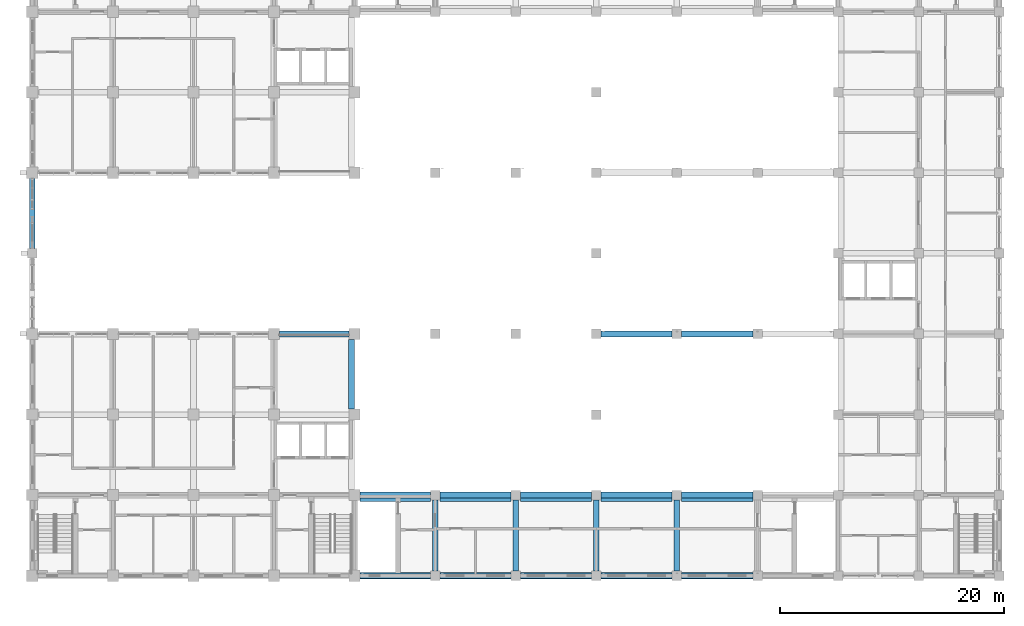
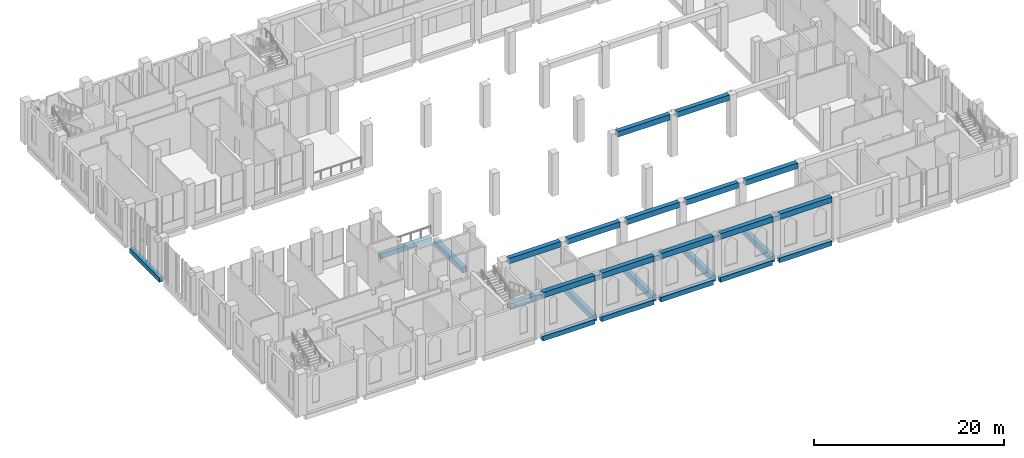
# One storey, part 6 of 48: 29 beams.
"""IFC4 building model written with IfcOpenShell, lengths in metres."""

from ifc_helpers import new_model, si_unit, direction, frame, origin, origin_2d, place, context, subcontext, project, spatial, rectangle, extrude, material, material_profile, profile_set, type_object, element, save


model = new_model("IFC4")

# Units and contexts
model_context = context("Model", 3, precision=1e-05, world=origin(), true_north=direction((0.0, 1.0)))
body_context = subcontext(model_context, "Body", "Model", "MODEL_VIEW")
ifc_project = project(units=[si_unit("LENGTHUNIT", "METRE"), si_unit("AREAUNIT", "SQUARE_METRE"), si_unit("VOLUMEUNIT", "CUBIC_METRE"), si_unit("PLANEANGLEUNIT", "RADIAN"), si_unit("MASSUNIT", "GRAM", prefix="KILO")], contexts=[model_context])

# Site, building, storey
site_placement = place(None, origin())
site = spatial("IfcSite", under=ifc_project, at=site_placement, CompositionType="ELEMENT")
building_placement = place(site_placement, origin())
building = spatial("IfcBuilding", under=site, at=building_placement, Name="Silangan Lancet Faculty of Sciences", CompositionType="ELEMENT")
storey_placement = place(building_placement, frame((0.0, 0.0, 6.0)))
storey = spatial("IfcBuildingStorey", under=building, at=storey_placement, Name="L01", CompositionType="ELEMENT", Elevation=6.0)

# Beams
ifc_material_1 = material(Name="Concrete C40/50", Category="concrete")
ifc_material_profile_1 = material_profile(ifc_material_1, rectangle(XDim=0.5, YDim=0.60009765625, at=origin_2d()), Name="RC 500x600")
ifc_profile_set_1 = profile_set([ifc_material_profile_1], Name="Concrete C40/50")
beam_type_1 = type_object("IfcBeamType", Name="BEAM RC 500x600", PredefinedType="BEAM", material=ifc_profile_set_1)
beam_1_placement = place(storey_placement, frame((29.300048828125, 0.0, -0.550048828125), z_axis=(1.0, 0.0, 0.0), x_axis=(0.0, 1.0, 0.0)))
element("IfcBeam", 1, at=beam_1_placement, inside=storey, type_object=beam_type_1, Name="BM-L01-5A-6A", PredefinedType="BEAM", context=body_context, shape_type="SweptSolid", body=[
    extrude(rectangle(XDim=0.5, YDim=0.60009765625, at=origin_2d()), origin(), (0.0, 0.0, 1.0), 6.27490234375),
])
beam_2_placement = place(storey_placement, frame((36.425048828125, 0.0, -0.550048828125), z_axis=(1.0, 0.0, 0.0), x_axis=(0.0, 1.0, 0.0)))
element("IfcBeam", 2, at=beam_2_placement, inside=storey, type_object=beam_type_1, Name="BM-L01-6A-7A", PredefinedType="BEAM", context=body_context, shape_type="SweptSolid", body=[
    extrude(rectangle(XDim=0.5, YDim=0.60009765625, at=origin_2d()), origin(), (0.0, 0.0, 1.0), 6.349853515625),
])
for number, where, z_axis, x_axis, name in (
    (3, (43.625, 0.0, -0.550048828125), (1.0, 0.0, 0.0), (0.0, 1.0, 0.0), "BM-L01-7A-8A"),
    (4, (50.824951171875, 0.0, -0.550048828125), (1.0, 0.0, 0.0), (0.0, 1.0, 0.0), "BM-L01-8A-9A"),
    (5, (58.02490234375, 0.0, -0.550048828125), (1.0, 0.0, 0.0), (0.0, 1.0, 0.0), "BM-L01-9A-10A"),
):
    element("IfcBeam", number, at=place(storey_placement, frame(where, z_axis=z_axis, x_axis=x_axis)), inside=storey, type_object=beam_type_1, Name=name, PredefinedType="BEAM", context=body_context, shape_type="SweptSolid", body=[
        extrude(rectangle(XDim=0.5, YDim=0.60009765625, at=origin_2d()), origin(), (0.0, 0.0, 1.0), 6.35009765625),
    ])
beam_3_placement = place(storey_placement, frame((22.10009765625, 21.60009765625, -0.550048828125), z_axis=(1.0, 0.0, 0.0), x_axis=(0.0, 1.0, 0.0)))
element("IfcBeam", 6, at=beam_3_placement, inside=storey, type_object=beam_type_1, Name="BM-L01-4D-5D", PredefinedType="BEAM", context=body_context, shape_type="SweptSolid", body=[
    extrude(rectangle(XDim=0.5, YDim=0.60009765625, at=origin_2d()), origin(), (0.0, 0.0, 1.0), 6.199951171875),
])
beam_4_placement = place(storey_placement, frame((0.0, 29.25, -0.550048828125), z_axis=(0.0, 1.0, 0.0), x_axis=(-1.0, 0.0, 0.0)))
element("IfcBeam", 7, at=beam_4_placement, inside=storey, type_object=beam_type_1, Name="BM-L01-1E-1F", PredefinedType="BEAM", context=body_context, shape_type="SweptSolid", body=[
    extrude(rectangle(XDim=0.5, YDim=0.60009765625, at=origin_2d()), origin(), (0.0, 0.0, 1.0), 6.300048828125),
])
ifc_material_2 = material(Name="Concrete C40/50", Category="concrete")
ifc_material_profile_2 = material_profile(ifc_material_2, rectangle(XDim=0.5, YDim=0.75, at=origin_2d()), Name="RC 500x750")
ifc_profile_set_2 = profile_set([ifc_material_profile_2], Name="Concrete C40/50")
beam_type_2 = type_object("IfcBeamType", Name="BEAM RC 500x750", PredefinedType="BEAM", material=ifc_profile_set_2)
for number, where, z_axis, x_axis, name in (
    (8, (36.0, 0.425048828125, -0.625), (0.0, 1.0, 0.0), (-1.0, 0.0, 0.0), "BM-L01-6A-6B"),
    (9, (43.199951171875, 0.425048828125, -0.625), (0.0, 1.0, 0.0), (-1.0, 0.0, 0.0), "BM-L01-7A-7B"),
    (10, (50.39990234375, 0.425048828125, -0.625), (0.0, 1.0, 0.0), (-1.0, 0.0, 0.0), "BM-L01-8A-8B"),
    (11, (57.60009765625, 0.425048828125, -0.625), (0.0, 1.0, 0.0), (-1.0, 0.0, 0.0), "BM-L01-9A-9B"),
):
    element("IfcBeam", number, at=place(storey_placement, frame(where, z_axis=z_axis, x_axis=x_axis)), inside=storey, type_object=beam_type_2, Name=name, PredefinedType="BEAM", context=body_context, shape_type="SweptSolid", body=[
        extrude(rectangle(XDim=0.5, YDim=0.75, at=origin_2d()), origin(), (0.0, 0.0, 1.0), 6.349853515625),
    ])
ifc_material_3 = material(Name="Concrete C40/50", Category="concrete")
ifc_material_profile_3 = material_profile(ifc_material_3, rectangle(XDim=0.550048828125, YDim=0.699951171875, at=origin_2d()), Name="RC 550x700")
ifc_profile_set_3 = profile_set([ifc_material_profile_3], Name="Concrete C40/50")
beam_type_3 = type_object("IfcBeamType", Name="BEAM RC 550x700", PredefinedType="BEAM", material=ifc_profile_set_3)
beam_5_placement = place(storey_placement, frame((29.300048828125, 6.925048828125, -0.60009765625), z_axis=(1.0, 0.0, 0.0), x_axis=(0.0, 1.0, 0.0)))
element("IfcBeam", 12, at=beam_5_placement, inside=storey, type_object=beam_type_3, Name="BM-L01-5B-6B", PredefinedType="BEAM", context=body_context, shape_type="SweptSolid", body=[
    extrude(rectangle(XDim=0.550048828125, YDim=0.699951171875, at=origin_2d()), origin(), (0.0, 0.0, 1.0), 6.27490234375),
])
beam_6_placement = place(storey_placement, frame((36.425048828125, 6.925048828125, -0.60009765625), z_axis=(1.0, 0.0, 0.0), x_axis=(0.0, 1.0, 0.0)))
element("IfcBeam", 13, at=beam_6_placement, inside=storey, type_object=beam_type_3, Name="BM-L01-6B-7B", PredefinedType="BEAM", context=body_context, shape_type="SweptSolid", body=[
    extrude(rectangle(XDim=0.550048828125, YDim=0.699951171875, at=origin_2d()), origin(), (0.0, 0.0, 1.0), 6.349853515625),
])
for number, where, z_axis, x_axis, name in (
    (14, (43.625, 6.925048828125, -0.60009765625), (1.0, 0.0, 0.0), (0.0, 1.0, 0.0), "BM-L01-7B-8B"),
    (15, (50.824951171875, 6.925048828125, -0.60009765625), (1.0, 0.0, 0.0), (0.0, 1.0, 0.0), "BM-L01-8B-9B"),
    (16, (58.02490234375, 6.925048828125, -0.60009765625), (1.0, 0.0, 0.0), (0.0, 1.0, 0.0), "BM-L01-9B-10B"),
):
    element("IfcBeam", number, at=place(storey_placement, frame(where, z_axis=z_axis, x_axis=x_axis)), inside=storey, type_object=beam_type_3, Name=name, PredefinedType="BEAM", context=body_context, shape_type="SweptSolid", body=[
        extrude(rectangle(XDim=0.550048828125, YDim=0.699951171875, at=origin_2d()), origin(), (0.0, 0.0, 1.0), 6.35009765625),
    ])
beam_7_placement = place(storey_placement, frame((28.52490234375, 14.89990234375, -0.60009765625), z_axis=(0.0, 1.0, 0.0), x_axis=(-1.0, 0.0, 0.0)))
element("IfcBeam", 17, at=beam_7_placement, inside=storey, type_object=beam_type_3, Name="BM-L01-5C-5D", PredefinedType="BEAM", context=body_context, shape_type="SweptSolid", body=[
    extrude(rectangle(XDim=0.550048828125, YDim=0.699951171875, at=origin_2d()), origin(), (0.0, 0.0, 1.0), 6.2001953125),
])
beam_8_placement = place(storey_placement, frame((29.300048828125, 0.0, 5.050048828125), z_axis=(1.0, 0.0, 0.0), x_axis=(0.0, 1.0, 0.0)))
element("IfcBeam", 18, at=beam_8_placement, inside=storey, type_object=beam_type_3, Name="RB-L01-5A-6A", PredefinedType="BEAM", context=body_context, shape_type="SweptSolid", body=[
    extrude(rectangle(XDim=0.550048828125, YDim=0.699951171875, at=origin_2d()), origin(), (0.0, 0.0, 1.0), 6.27490234375),
])
beam_9_placement = place(storey_placement, frame((36.425048828125, 0.0, 5.050048828125), z_axis=(1.0, 0.0, 0.0), x_axis=(0.0, 1.0, 0.0)))
element("IfcBeam", 19, at=beam_9_placement, inside=storey, type_object=beam_type_3, Name="RB-L01-6A-7A", PredefinedType="BEAM", context=body_context, shape_type="SweptSolid", body=[
    extrude(rectangle(XDim=0.550048828125, YDim=0.699951171875, at=origin_2d()), origin(), (0.0, 0.0, 1.0), 6.349853515625),
])
for number, where, z_axis, x_axis, name in (
    (20, (43.625, 0.0, 5.050048828125), (1.0, 0.0, 0.0), (0.0, 1.0, 0.0), "RB-L01-7A-8A"),
    (21, (50.824951171875, 0.0, 5.050048828125), (1.0, 0.0, 0.0), (0.0, 1.0, 0.0), "RB-L01-8A-9A"),
    (22, (58.02490234375, 0.0, 5.050048828125), (1.0, 0.0, 0.0), (0.0, 1.0, 0.0), "RB-L01-9A-10A"),
):
    element("IfcBeam", number, at=place(storey_placement, frame(where, z_axis=z_axis, x_axis=x_axis)), inside=storey, type_object=beam_type_3, Name=name, PredefinedType="BEAM", context=body_context, shape_type="SweptSolid", body=[
        extrude(rectangle(XDim=0.550048828125, YDim=0.699951171875, at=origin_2d()), origin(), (0.0, 0.0, 1.0), 6.35009765625),
    ])
beam_10_placement = place(storey_placement, frame((29.300048828125, 7.199951171875, 5.050048828125), z_axis=(1.0, 0.0, 0.0), x_axis=(0.0, 1.0, 0.0)))
element("IfcBeam", 23, at=beam_10_placement, inside=storey, type_object=beam_type_3, Name="RB-L01-5B-6B", PredefinedType="BEAM", context=body_context, shape_type="SweptSolid", body=[
    extrude(rectangle(XDim=0.550048828125, YDim=0.699951171875, at=origin_2d()), origin(), (0.0, 0.0, 1.0), 6.27490234375),
])
beam_11_placement = place(storey_placement, frame((36.425048828125, 7.199951171875, 5.050048828125), z_axis=(1.0, 0.0, 0.0), x_axis=(0.0, 1.0, 0.0)))
element("IfcBeam", 24, at=beam_11_placement, inside=storey, type_object=beam_type_3, Name="RB-L01-6B-7B", PredefinedType="BEAM", context=body_context, shape_type="SweptSolid", body=[
    extrude(rectangle(XDim=0.550048828125, YDim=0.699951171875, at=origin_2d()), origin(), (0.0, 0.0, 1.0), 6.349853515625),
])
for number, where, z_axis, x_axis, name in (
    (25, (43.625, 7.199951171875, 5.050048828125), (1.0, 0.0, 0.0), (0.0, 1.0, 0.0), "RB-L01-7B-8B"),
    (26, (50.824951171875, 7.199951171875, 5.050048828125), (1.0, 0.0, 0.0), (0.0, 1.0, 0.0), "RB-L01-8B-9B"),
    (27, (58.02490234375, 7.199951171875, 5.050048828125), (1.0, 0.0, 0.0), (0.0, 1.0, 0.0), "RB-L01-9B-10B"),
    (28, (50.824951171875, 21.60009765625, 5.050048828125), (1.0, 0.0, 0.0), (0.0, 1.0, 0.0), "RB-L01-8D-9D"),
    (29, (58.02490234375, 21.60009765625, 5.050048828125), (1.0, 0.0, 0.0), (0.0, 1.0, 0.0), "RB-L01-9D-10D"),
):
    element("IfcBeam", number, at=place(storey_placement, frame(where, z_axis=z_axis, x_axis=x_axis)), inside=storey, type_object=beam_type_3, Name=name, PredefinedType="BEAM", context=body_context, shape_type="SweptSolid", body=[
        extrude(rectangle(XDim=0.550048828125, YDim=0.699951171875, at=origin_2d()), origin(), (0.0, 0.0, 1.0), 6.35009765625),
    ])

save(model, "model.ifc")
